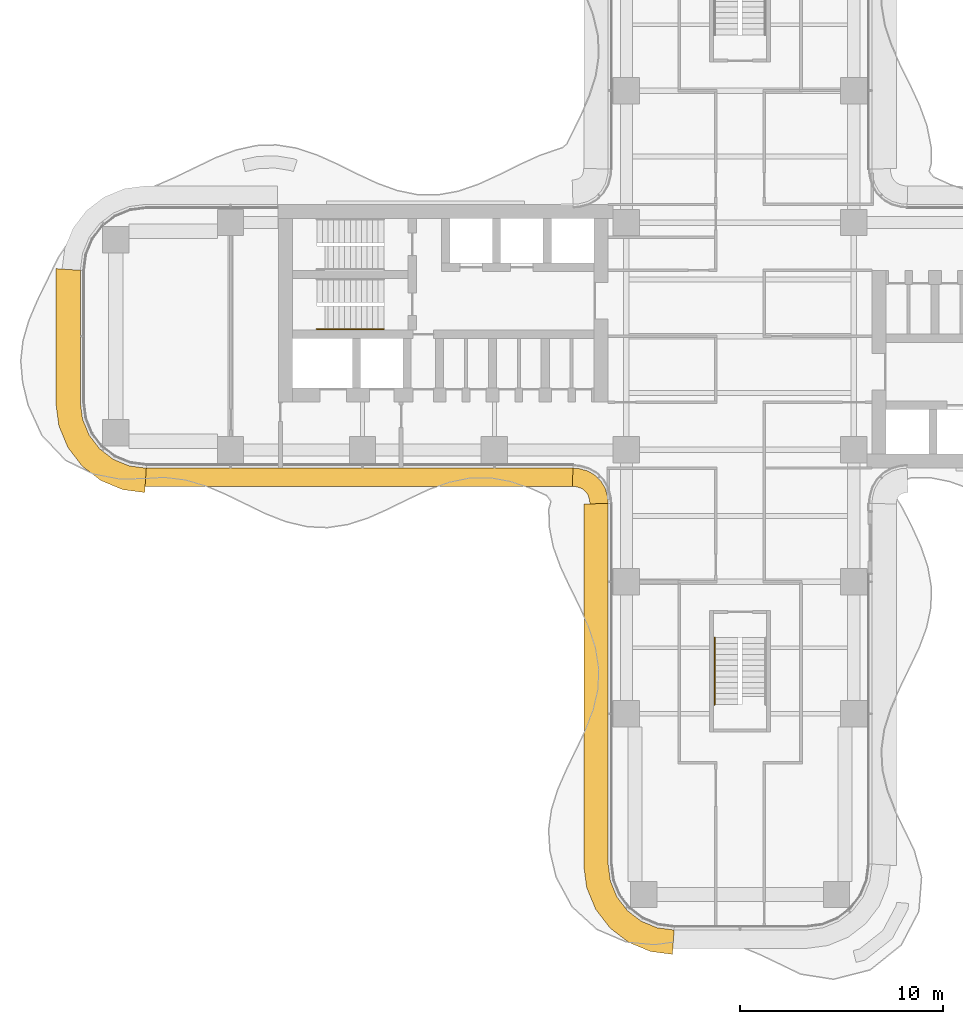
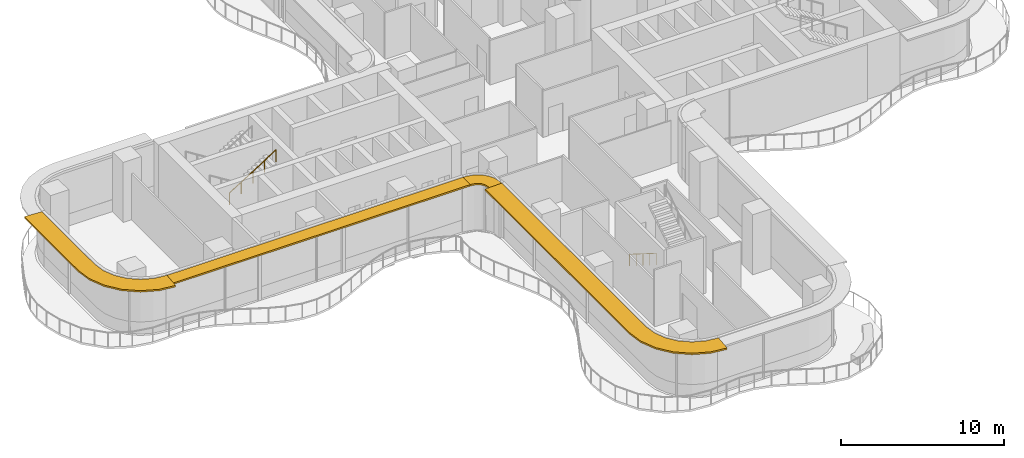
# One storey, part 22 of 23: 4 shading devices, 2 railings.
"""IFC4 building model written with IfcOpenShell, lengths in metres."""

from ifc_helpers import new_model, si_unit, direction, frame, origin, origin_2d, place, context, subcontext, project, spatial, polyline, circle, outline, extrude, source, transform, mapped, material, layer, layer_set, type_object, element, save


model = new_model("IFC4")

# Units and contexts
model_context = context("Model", 3, precision=1e-05, world=origin(), true_north=direction((0.0, 1.0)))
body_context = subcontext(model_context, "Body", "Model", "MODEL_VIEW")
ifc_project = project(units=[si_unit("LENGTHUNIT", "METRE"), si_unit("AREAUNIT", "SQUARE_METRE"), si_unit("VOLUMEUNIT", "CUBIC_METRE"), si_unit("PLANEANGLEUNIT", "RADIAN"), si_unit("MASSUNIT", "GRAM", prefix="KILO")], contexts=[model_context])

# Site, building, storey
site_placement = place(None, origin())
site = spatial("IfcSite", under=ifc_project, at=site_placement, CompositionType="ELEMENT")
building_placement = place(site_placement, origin())
building = spatial("IfcBuilding", under=site, at=building_placement, Name="Trellis Farm Tower", CompositionType="ELEMENT")
storey_placement = place(building_placement, frame((0.0, 0.0, 120.0)))
storey = spatial("IfcBuildingStorey", under=building, at=storey_placement, Name="L25", CompositionType="ELEMENT", Elevation=120.0)

# Railings
ifc_material_1 = material(Name="Stainless steel", Category="steel")
railing_type = type_object("IfcRailingType", Name="STAIR HANDRAIL 900", PredefinedType="HANDRAIL", material=ifc_material_1)
shared_shape_1 = source(origin(), body_context, "Body", "SweptSolid", [
    extrude(circle(Radius=0.02392578125, at=origin_2d()), frame((0.0, 0.0, 0.8759765625), z_axis=(0.0, -0.846319618018, 0.532675421018), x_axis=(1.0, 0.0, 0.0)), (0.0, 0.0, 1.0), 3.89892578125),
    extrude(circle(Radius=0.02099609375, at=origin_2d()), origin(), (0.0, 0.0, 1.0), 0.851806640625),
    extrude(circle(Radius=0.02099609375, at=origin_2d()), frame((0.0, -0.824951171875, 0.519287109375)), (0.0, 0.0, 1.0), 0.851806640625),
    extrude(circle(Radius=0.02099609375, at=origin_2d()), frame((0.0, -1.64990234375, 1.03857421875)), (0.0, 0.0, 1.0), 0.851806640625),
    extrude(circle(Radius=0.02099609375, at=origin_2d()), frame((0.0, -2.474853515625, 1.5576171875)), (0.0, 0.0, 1.0), 0.851806640625),
    extrude(circle(Radius=0.02099609375, at=origin_2d()), frame((0.0, -3.2998046875, 2.076904296875)), (0.0, 0.0, 1.0), 0.851806640625),
])
railing_1_placement = place(storey_placement, frame((-1.25, -14.85009765625, 0.173095703125)))
element("IfcRailing", 1, at=railing_1_placement, inside=storey, type_object=railing_type, Name="Stair handrail", PredefinedType="HANDRAIL", context=body_context, shape_type="MappedRepresentation", body=[
    mapped(shared_shape_1, transform((0.0, 0.0, 0.0))),
])
shared_shape_2 = source(origin(), body_context, "Body", "SweptSolid", [
    extrude(circle(Radius=0.02392578125, at=origin_2d()), frame((0.0, 0.0, 0.8759765625), z_axis=(0.846337383501, 0.0, 0.532647194011), x_axis=(0.0, 1.0, 0.0)), (0.0, 0.0, 1.0), 3.899169921875),
    extrude(circle(Radius=0.02099609375, at=origin_2d()), origin(), (0.0, 0.0, 1.0), 0.851806640625),
    extrude(circle(Radius=0.02099609375, at=origin_2d()), frame((0.824951171875, 0.0, 0.519287109375)), (0.0, 0.0, 1.0), 0.851806640625),
    extrude(circle(Radius=0.02099609375, at=origin_2d()), frame((1.64990234375, 0.0, 1.03857421875)), (0.0, 0.0, 1.0), 0.851806640625),
    extrude(circle(Radius=0.02099609375, at=origin_2d()), frame((2.47509765625, 0.0, 1.5576171875)), (0.0, 0.0, 1.0), 0.851806640625),
    extrude(circle(Radius=0.02099609375, at=origin_2d()), frame((3.300048828125, 0.0, 2.076904296875)), (0.0, 0.0, 1.0), 0.851806640625),
])
railing_2_placement = place(storey_placement, frame((-20.85009765625, 0.35009765625, 2.423095703125)))
element("IfcRailing", 2, at=railing_2_placement, inside=storey, type_object=railing_type, Name="Stair handrail", PredefinedType="HANDRAIL", context=body_context, shape_type="MappedRepresentation", body=[
    mapped(shared_shape_2, transform((0.0, 0.0, 0.0))),
])

# Shading devices
ifc_material_2 = material(Name="Aluminium extrusion 6063-T6", Category="aluminium")
ifc_layer_1 = layer(ifc_material_2, 0.1201171875)
ifc_layer_set_1 = layer_set([ifc_layer_1], Name="SUNSHADE BLADE 900")
shading_device_type_1 = type_object("IfcShadingDeviceType", Name="SUNSHADE BLADE 900", PredefinedType="USERDEFINED", material=ifc_layer_set_1)
shared_shape_3 = source(origin(), body_context, "Body", "SweptSolid", [
    extrude(outline(polyline([(-29.30908203125, -7.39990234375), (-8.2607421875, -7.39990234375), (-8.2314453125, -6.5), (-29.25, -6.5), (-29.30908203125, -7.39990234375)])), origin(), (0.0, 0.0, 1.0), 0.119873046875),
])
placement = place(storey_placement, frame((0.0, 0.0, 4.090087890625)))
element("IfcShadingDevice", 3, at=placement, inside=storey, type_object=shading_device_type_1, Name="SD1 001", ObjectType="SUNSHADE", PredefinedType="USERDEFINED", context=body_context, shape_type="MappedRepresentation", body=[
    mapped(shared_shape_3, transform((0.0, 0.0, 0.0))),
])
shared_shape_4 = source(origin(), body_context, "Body", "SweptSolid", [
    extrude(outline(polyline([(-8.2607421875, -7.39990234375), (-8.107666015625, -7.409912109375), (-8.091552734375, -7.412109375), (-7.85595703125, -7.475341796875), (-7.697021484375, -7.567138671875), (-7.567138671875, -7.697021484375), (-7.475341796875, -7.85595703125), (-7.412109375, -8.091552734375), (-7.409912109375, -8.107666015625), (-7.39990234375, -8.2607421875), (-6.5, -8.2314453125), (-6.513916015625, -8.01953125), (-6.527587890625, -7.91552734375), (-6.63671875, -7.508544921875), (-6.846923828125, -7.144287109375), (-7.144287109375, -6.846923828125), (-7.508544921875, -6.63671875), (-7.91552734375, -6.527587890625), (-8.01953125, -6.513916015625), (-8.2314453125, -6.5), (-8.2607421875, -7.39990234375)])), origin(), (0.0, 0.0, 1.0), 0.119873046875),
])
element("IfcShadingDevice", 4, at=placement, inside=storey, type_object=shading_device_type_1, Name="SD1 002", ObjectType="SUNSHADE", PredefinedType="USERDEFINED", context=body_context, shape_type="MappedRepresentation", body=[
    mapped(shared_shape_4, transform((0.0, 0.0, 0.0))),
])
ifc_layer_2 = layer(ifc_material_2, 0.1201171875)
ifc_layer_set_2 = layer_set([ifc_layer_2], Name="SUNSHADE BLADE 1200")
shading_device_type_2 = type_object("IfcShadingDeviceType", Name="SUNSHADE BLADE 1200", PredefinedType="USERDEFINED", material=ifc_layer_set_2)
shared_shape_5 = source(origin(), body_context, "Body", "SweptSolid", [
    extrude(outline(polyline([(-7.699951171875, -8.270751953125), (-7.699951171875, -26.07861328125), (-7.558349609375, -27.154541015625), (-7.11279296875, -28.230224609375), (-6.404052734375, -29.154052734375), (-5.480224609375, -29.86279296875), (-4.404541015625, -30.308349609375), (-3.32861328125, -30.449951171875), (-3.25, -29.25), (-4.091064453125, -29.13916015625), (-4.875, -28.814697265625), (-5.548095703125, -28.298095703125), (-6.064697265625, -27.625), (-6.38916015625, -26.841064453125), (-6.5, -26.0), (-6.5, -8.2314453125), (-7.699951171875, -8.270751953125)])), origin(), (0.0, 0.0, 1.0), 0.119873046875),
])
element("IfcShadingDevice", 5, at=placement, inside=storey, type_object=shading_device_type_2, Name="SD2 003", ObjectType="SUNSHADE", PredefinedType="USERDEFINED", context=body_context, shape_type="MappedRepresentation", body=[
    mapped(shared_shape_5, transform((0.0, 0.0, 0.0))),
])
shared_shape_6 = source(origin(), body_context, "Body", "SweptSolid", [
    extrude(outline(polyline([(-33.699951171875, 3.32861328125), (-33.699951171875, -3.32861328125), (-33.558349609375, -4.404541015625), (-33.11279296875, -5.480224609375), (-32.404052734375, -6.404052734375), (-31.480224609375, -7.11279296875), (-30.404541015625, -7.558349609375), (-29.32861328125, -7.699951171875), (-29.25, -6.5), (-30.091064453125, -6.38916015625), (-30.875, -6.064697265625), (-31.548095703125, -5.548095703125), (-32.064697265625, -4.875), (-32.38916015625, -4.091064453125), (-32.5, -3.25), (-32.5, 3.25), (-33.699951171875, 3.32861328125)])), origin(), (0.0, 0.0, 1.0), 0.119873046875),
])
element("IfcShadingDevice", 6, at=placement, inside=storey, type_object=shading_device_type_2, Name="SD2 016", ObjectType="SUNSHADE", PredefinedType="USERDEFINED", context=body_context, shape_type="MappedRepresentation", body=[
    mapped(shared_shape_6, transform((0.0, 0.0, 0.0))),
])

save(model, "model.ifc")
